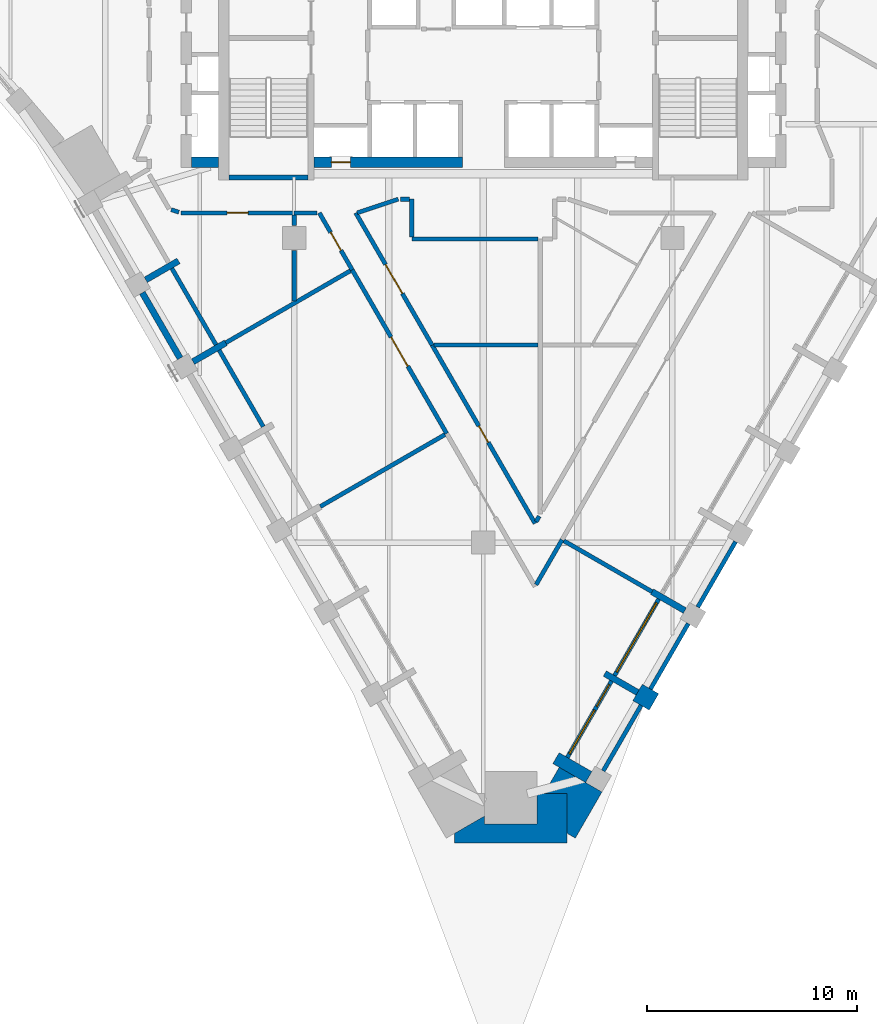
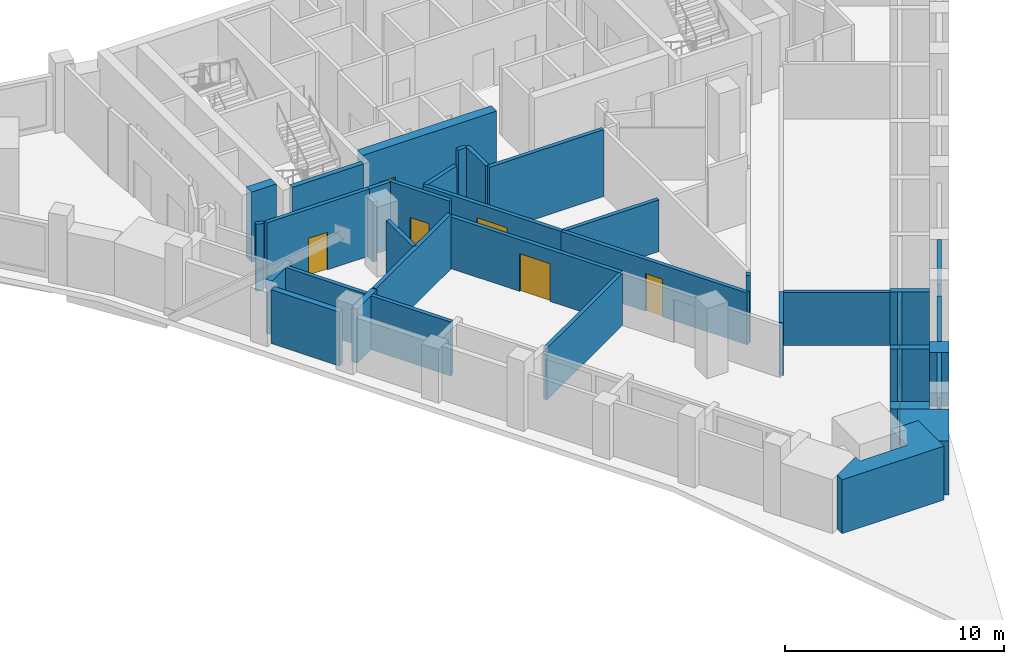
# One storey, part 3 of 9: 38 walls, 7 doors, 2 windows, 9 openings.
"""IFC4 building model written with IfcOpenShell, lengths in metres."""

from ifc_helpers import new_model, si_unit, direction, frame, frame_2d, origin, place, context, subcontext, project, spatial, polyline, rectangle, outline, extrude, material, layer, layer_set, type_object, element, fill, save


model = new_model("IFC4")

# Units and contexts
model_context = context("Model", 3, precision=1e-05, world=origin(), true_north=direction((0.0, 1.0)))
body_context = subcontext(model_context, "Body", "Model", "MODEL_VIEW")
ifc_project = project(units=[si_unit("LENGTHUNIT", "METRE"), si_unit("AREAUNIT", "SQUARE_METRE"), si_unit("VOLUMEUNIT", "CUBIC_METRE"), si_unit("PLANEANGLEUNIT", "RADIAN"), si_unit("MASSUNIT", "GRAM", prefix="KILO")], contexts=[model_context])

# Site, building, storey
site_placement = place(None, origin())
site = spatial("IfcSite", under=ifc_project, at=site_placement, CompositionType="ELEMENT")
building_placement = place(site_placement, origin())
building = spatial("IfcBuilding", under=site, at=building_placement, Name="Calabash Gate Tower", CompositionType="ELEMENT")
storey_placement = place(building_placement, frame((0.0, 0.0, 196.39990234375)))
storey = spatial("IfcBuildingStorey", under=building, at=storey_placement, Name="L46", CompositionType="ELEMENT", Elevation=196.39990234375)

# Walls
ifc_material_1 = material(Name="Terracotta brick masonry, exposed face", Category="masonry")
ifc_layer_1 = layer(ifc_material_1, 2.35009765625)
ifc_layer_set_1 = layer_set([ifc_layer_1], Name="Brick corner mass wall 2350")
wall_type_1 = type_object("IfcWallType", Name="Brick corner mass wall 2350", PredefinedType="SOLIDWALL", material=ifc_layer_set_1)
wall_1_placement = place(storey_placement, origin())
element("IfcWall", 1, at=wall_1_placement, inside=storey, type_object=wall_type_1, Name="Brick corner pier S13 2ba", PredefinedType="SOLIDWALL", context=body_context, shape_type="SweptSolid", body=[
    extrude(outline(polyline([(2.56005859375, -23.93994140625), (2.56005859375, -25.39208984375), (0.06005859375, -25.39208984375), (0.06005859375, -25.012939453125), (-1.372314453125, -25.83984375), (-1.372314453125, -26.2900390625), (3.99267578125, -26.2900390625), (3.99267578125, -23.93994140625), (2.56005859375, -23.93994140625)])), origin(), (0.0, 0.0, 1.0), 3.0),
])
wall_2_placement = place(storey_placement, origin())
element("IfcWall", 2, at=wall_2_placement, inside=storey, type_object=wall_type_1, Name="Brick corner pier S13 2c", PredefinedType="SOLIDWALL", context=body_context, shape_type="SweptSolid", body=[
    extrude(outline(polyline([(4.871337890625, -23.418701171875), (3.615478515625, -22.693603515625), (2.895751953125, -23.93994140625), (3.99267578125, -23.93994140625), (3.99267578125, -25.83984375), (4.382568359375, -26.06494140625), (5.650634765625, -23.86865234375), (4.871337890625, -23.418701171875), (4.871337890625, -23.418701171875)])), origin(), (0.0, 0.0, 1.0), 3.0),
])
ifc_material_2 = material(Name="Terracotta brick masonry, exposed face", Category="masonry")
ifc_layer_2 = layer(ifc_material_2, 0.89990234375)
ifc_layer_set_2 = layer_set([ifc_layer_2], Name="Brick end wall 900")
wall_type_2 = type_object("IfcWallType", Name="Brick end wall 900", PredefinedType="SOLIDWALL", material=ifc_layer_set_2)
wall_3_placement = place(storey_placement, frame((7.9609375, -18.967041015625, 0.0), z_axis=(0.0, 0.0, 1.0), x_axis=(-0.50001992892, -0.866013897511, 0.0)))
element("IfcWall", 3, at=wall_3_placement, inside=storey, type_object=wall_type_2, Name="Brick pier S13 SE2.1", PredefinedType="SOLIDWALL", context=body_context, shape_type="SweptSolid", body=[
    extrude(rectangle(XDim=0.89990234375, YDim=0.89990234375, at=frame_2d((0.449951171875, 0.0))), origin(), (0.0, 0.0, 1.0), 3.0),
])
ifc_material_3 = material(Name="Terracotta brick masonry, exposed face", Category="masonry")
ifc_layer_3 = layer(ifc_material_3, 0.300048828125)
ifc_layer_set_3 = layer_set([ifc_layer_3], Name="Brick infill panel wall 300")
wall_type_3 = type_object("IfcWallType", Name="Brick infill panel wall 300", PredefinedType="SOLIDWALL", material=ifc_layer_set_3)
wall_4_placement = place(storey_placement, frame((-16.231689453125, -0.102783203125, 0.0), z_axis=(0.0, 0.0, 1.0), x_axis=(0.499990559667, -0.866030854095, 0.0)))
element("IfcWall", 4, at=wall_4_placement, inside=storey, type_object=wall_type_3, Name="Brick panel S13 SW0.2", PredefinedType="SOLIDWALL", context=body_context, shape_type="SweptSolid", body=[
    extrude(rectangle(XDim=3.599609375, YDim=0.300048828125, at=frame_2d((1.7998046875, 0.0))), origin(), (0.0, 0.0, 1.0), 3.0),
])
ifc_material_4 = material(Name="Terracotta brick masonry, exposed face", Category="masonry")
ifc_layer_4 = layer(ifc_material_4, 0.300048828125)
ifc_layer_set_4 = layer_set([ifc_layer_4], Name="Brick loggia cheek wall 300")
wall_type_4 = type_object("IfcWallType", Name="Brick loggia cheek wall 300", PredefinedType="SOLIDWALL", material=ifc_layer_set_4)
for number, where, z_axis, x_axis, name in (
    (5, (-16.06689453125, 0.511962890625, 0.0), (0.0, 0.0, 1.0), (0.866047807691, 0.499961193289, 0.0), "Loggia cheek S13 SW0.1"),
    (6, (-13.81689453125, -3.38525390625, 0.0), (0.0, 0.0, 1.0), (0.865989075817, 0.500062916607, 0.0), "Loggia cheek S13 SW0.2"),
):
    element("IfcWall", number, at=place(storey_placement, frame(where, z_axis=z_axis, x_axis=x_axis)), inside=storey, type_object=wall_type_4, Name=name, PredefinedType="SOLIDWALL", context=body_context, shape_type="SweptSolid", body=[
        extrude(rectangle(XDim=1.800048828125, YDim=0.300048828125, at=frame_2d((0.89990234375, 0.0))), origin(), (0.0, 0.0, 1.0), 3.0),
    ])
wall_5_placement = place(storey_placement, frame((3.46240234375, -22.2587890625, 0.0), z_axis=(0.0, 0.0, 1.0), x_axis=(0.866047807691, -0.499961193289, 0.0)))
element("IfcWall", 7, at=wall_5_placement, inside=storey, type_object=wall_type_4, Name="Loggia cheek S13 SE2.0", PredefinedType="SOLIDWALL", context=body_context, shape_type="SweptSolid", body=[
    extrude(rectangle(XDim=1.800048828125, YDim=0.60009765625, at=frame_2d((0.89990234375, 0.0))), origin(), (0.0, 0.0, 1.0), 3.0),
])
for number, where, z_axis, x_axis, name in (
    (8, (7.34619140625, -19.131591796875, 0.0), (0.0, 0.0, 1.0), (-0.866047807691, 0.499961193289, 0.0), "Loggia cheek S13 SE2.1"),
    (9, (9.59619140625, -15.234619140625, 0.0), (0.0, 0.0, 1.0), (-0.866047807691, 0.499961193289, 0.0), "Loggia cheek S13 SE2.2"),
):
    element("IfcWall", number, at=place(storey_placement, frame(where, z_axis=z_axis, x_axis=x_axis)), inside=storey, type_object=wall_type_4, Name=name, PredefinedType="SOLIDWALL", context=body_context, shape_type="SweptSolid", body=[
        extrude(rectangle(XDim=1.800048828125, YDim=0.300048828125, at=frame_2d((0.89990234375, 0.0))), origin(), (0.0, 0.0, 1.0), 3.0),
    ])
ifc_material_5 = material(Name="Concrete C70/85", Category="concrete")
ifc_layer_5 = layer(ifc_material_5, 0.25)
ifc_layer_set_5 = layer_set([ifc_layer_5], Name="Core wall 250 Concrete C70/85")
wall_type_5 = type_object("IfcWallType", Name="Core wall 250 Concrete C70/85", PredefinedType="SHEAR", material=ifc_layer_set_5)
wall_6_placement = place(storey_placement, frame((-12.10009765625, 5.377685546875, 0.0), z_axis=(0.0, 0.0, 1.0), x_axis=(1.0, 0.0, 0.0)))
element("IfcWall", 10, at=wall_6_placement, inside=storey, type_object=wall_type_5, Name="Core wall Z4-SSW L46", PredefinedType="SHEAR", context=body_context, shape_type="SweptSolid", body=[
    extrude(rectangle(XDim=3.75, YDim=0.25, at=frame_2d((1.875, 0.0))), origin(), (0.0, 0.0, 1.0), 3.900146484375),
])

# Wall, opening, door
ifc_material_6 = material(Name="Concrete C70/85", Category="concrete")
ifc_layer_6 = layer(ifc_material_6, 0.5)
ifc_layer_set_6 = layer_set([ifc_layer_6], Name="Core wall 500 Concrete C70/85")
wall_type_6 = type_object("IfcWallType", Name="Core wall 500 Concrete C70/85", PredefinedType="SHEAR", material=ifc_layer_set_6)
wall_7_placement = place(storey_placement, frame((-8.050048828125, 6.1025390625, 0.0), z_axis=(0.0, 0.0, 1.0), x_axis=(1.0, 0.0, 0.0)))
wall_7 = element("IfcWall", 11, at=wall_7_placement, inside=storey, type_object=wall_type_6, Name="Core wall Z4-SA L46", PredefinedType="SHEAR", context=body_context, shape_type="SweptSolid", body=[
    extrude(rectangle(XDim=7.050048828125, YDim=0.5, at=frame_2d((3.52490234375, 0.0))), origin(), (0.0, 0.0, 1.0), 3.900146484375),
])
opening_1_placement = place(wall_7_placement, frame((0.824951171875, 0.0, 0.0)))
opening_1 = element("IfcOpeningElement", 12, at=opening_1_placement, cuts=wall_7, Name="Opening O5-017", PredefinedType="OPENING", context=body_context, shape_type="SweptSolid", body=[
    extrude(rectangle(XDim=0.89990234375, YDim=2.10009765625, at=frame_2d((0.449951171875, 1.050048828125))), frame((0.0, 0.260009765625, 0.0), z_axis=(0.0, -1.0, 0.0), x_axis=(1.0, 0.0, 0.0)), (0.0, 0.0, 1.0), 0.52001953125),
])
ifc_material_7 = material(Name="Steel fire door set with fire-resisting glazing", Category="steel")
door_type_1 = type_object("IfcDoorType", Name="Fire door D07 900x2100 FD90", OperationType="NOTDEFINED", PredefinedType="DOOR", material=ifc_material_7)
door_1_placement = place(opening_1_placement, origin())
door_1 = element("IfcDoor", 13, at=door_1_placement, inside=storey, type_object=door_type_1, Name="Electrical Riser W door", OperationType="SINGLE_SWING_LEFT", OverallHeight=2.10009765625, OverallWidth=0.89990234375, PredefinedType="DOOR", context=body_context, shape_type="SweptSolid", body=[
    extrude(rectangle(XDim=0.89990234375, YDim=2.10009765625, at=frame_2d((0.449951171875, 1.050048828125))), frame((0.0, 0.02490234375, 0.0), z_axis=(0.0, -1.0, 0.0), x_axis=(1.0, 0.0, 0.0)), (0.0, 0.0, 1.0), 0.050048828125),
])
fill(opening_1, door_1)

# Walls
wall_8_placement = place(storey_placement, frame((-12.60009765625, 6.1025390625, 0.0), z_axis=(0.0, 0.0, 1.0), x_axis=(-1.0, 0.0, 0.0)))
element("IfcWall", 14, at=wall_8_placement, inside=storey, type_object=wall_type_6, Name="Core wall Z4-SW L46", PredefinedType="SHEAR", context=body_context, shape_type="SweptSolid", body=[
    extrude(rectangle(XDim=1.2998046875, YDim=0.5, at=frame_2d((0.64990234375, 0.0))), origin(), (0.0, 0.0, 1.0), 3.900146484375),
])
ifc_material_8 = material(Name="Gypsum board on steel studs, mineral wool", Category="steel")
ifc_layer_7 = layer(ifc_material_8, 0.199951171875)
ifc_layer_set_7 = layer_set([ifc_layer_7], Name="Partition 200 gypsum board EI 60")
wall_type_7 = type_object("IfcWallType", Name="Partition 200 gypsum board EI 60", PredefinedType="PARTITIONING", material=ifc_layer_set_7)
wall_9_placement = place(storey_placement, frame((3.83642578125, -11.91162109375, 0.0), z_axis=(0.0, 0.0, 1.0), x_axis=(0.866197319414, -0.499702115105, 0.0)))
element("IfcWall", 15, at=wall_9_placement, inside=storey, type_object=wall_type_7, Name="Partition", PredefinedType="PARTITIONING", context=body_context, shape_type="SweptSolid", body=[
    extrude(rectangle(XDim=4.849609375, YDim=0.199951171875, at=frame_2d((2.4248046875, 0.0))), origin(), (0.0, 0.0, 1.0), 2.9501953125),
])
wall_10_placement = place(storey_placement, frame((2.514892578125, -14.0, 0.0), z_axis=(0.0, 0.0, 1.0), x_axis=(0.500654523814, 0.865647184357, 0.0)))
element("IfcWall", 16, at=wall_10_placement, inside=storey, type_object=wall_type_7, Name="Partition", PredefinedType="PARTITIONING", context=body_context, shape_type="SweptSolid", body=[
    extrude(rectangle(XDim=2.470947265625, YDim=0.199951171875, at=frame_2d((1.2353515625, 0.0))), origin(), (0.0, 0.0, 1.0), 2.9501953125),
])
wall_11_placement = place(storey_placement, frame((2.514892578125, -10.999267578125, 0.0), z_axis=(0.0, 0.0, 1.0), x_axis=(0.500426713919, 0.865778900179, 0.0)))
element("IfcWall", 17, at=wall_11_placement, inside=storey, type_object=wall_type_7, Name="Partition", PredefinedType="PARTITIONING", context=body_context, shape_type="SweptSolid", body=[
    extrude(rectangle(XDim=0.300048828125, YDim=0.199951171875, at=frame_2d((0.14990234375, 0.0))), origin(), (0.0, 0.0, 1.0), 3.72998046875),
])
wall_12_placement = place(storey_placement, frame((-7.7578125, -10.27978515625, 0.0), z_axis=(0.0, 0.0, 1.0), x_axis=(0.866142857868, 0.499796508355, 0.0)))
element("IfcWall", 18, at=wall_12_placement, inside=storey, type_object=wall_type_7, Name="Partition", PredefinedType="PARTITIONING", context=body_context, shape_type="SweptSolid", body=[
    extrude(rectangle(XDim=6.849365234375, YDim=0.199951171875, at=frame_2d((3.4248046875, 0.0))), origin(), (0.0, 0.0, 1.0), 2.88427734375),
])

# Wall, opening, door
wall_13_placement = place(storey_placement, frame((-6.240966796875, 0.98876953125, 0.0), z_axis=(0.0, 0.0, 1.0), x_axis=(0.5000018851, -0.866024315419, 0.0)))
wall_13 = element("IfcWall", 19, at=wall_13_placement, inside=storey, type_object=wall_type_7, Name="Partition", PredefinedType="PARTITIONING", context=body_context, shape_type="SweptSolid", body=[
    extrude(rectangle(XDim=9.0, YDim=0.199951171875, at=frame_2d((4.5, 0.0))), origin(), (0.0, 0.0, 1.0), 2.88427734375),
])
opening_2_placement = place(wall_13_placement, frame((3.699951171875, 0.0, 0.0)))
opening_2 = element("IfcOpeningElement", 20, at=opening_2_placement, cuts=wall_13, Name="Opening 46-48-001", PredefinedType="OPENING", context=body_context, shape_type="SweptSolid", body=[
    extrude(rectangle(XDim=1.60009765625, YDim=2.10009765625, at=frame_2d((0.800048828125, 1.050048828125))), frame((0.0, 0.10986328125, 0.0), z_axis=(0.0, -1.0, 0.0), x_axis=(1.0, 0.0, 0.0)), (0.0, 0.0, 1.0), 0.219970703125),
])
ifc_material_9 = material(Name="Steel fire door set with fire-resisting glazing", Category="steel")
door_type_2 = type_object("IfcDoorType", Name="LD1 Lounge double door 1600x2100", OperationType="NOTDEFINED", PredefinedType="DOOR", material=ifc_material_9)
door_2_placement = place(opening_2_placement, origin())
door_2 = element("IfcDoor", 21, at=door_2_placement, inside=storey, type_object=door_type_2, Name="Lounge double door", OperationType="DOUBLE_DOOR_SINGLE_SWING", OverallHeight=2.10009765625, OverallWidth=1.60009765625, PredefinedType="DOOR", context=body_context, shape_type="SweptSolid", body=[
    extrude(rectangle(XDim=1.60009765625, YDim=2.10009765625, at=frame_2d((0.800048828125, 1.050048828125))), frame((0.0, 0.02490234375, 0.0), z_axis=(0.0, -1.0, 0.0), x_axis=(1.0, 0.0, 0.0)), (0.0, 0.0, 1.0), 0.050048828125),
])
fill(opening_2, door_2)

wall_14_placement = place(storey_placement, frame((-2.43408203125, -2.596923828125, 0.0), z_axis=(0.0, 0.0, 1.0), x_axis=(0.499860458914, -0.86610595288, 0.0)))
wall_14 = element("IfcWall", 22, at=wall_14_placement, inside=storey, type_object=wall_type_7, Name="Partition", PredefinedType="PARTITIONING", context=body_context, shape_type="SweptSolid", body=[
    extrude(rectangle(XDim=9.801025390625, YDim=0.199951171875, at=frame_2d((4.900390625, 0.0))), origin(), (0.0, 0.0, 1.0), 2.88427734375),
])
opening_3_placement = place(wall_14_placement, frame((4.448974609375, 0.0, 0.0)))
opening_3 = element("IfcOpeningElement", 23, at=opening_3_placement, cuts=wall_14, Name="Opening 46-48-004", PredefinedType="OPENING", context=body_context, shape_type="SweptSolid", body=[
    extrude(rectangle(XDim=0.89990234375, YDim=2.10009765625, at=frame_2d((0.449951171875, 1.050048828125))), frame((0.0, 0.10986328125, 0.0), z_axis=(0.0, -1.0, 0.0), x_axis=(1.0, 0.0, 0.0)), (0.0, 0.0, 1.0), 0.219970703125),
])
ifc_material_10 = material(Name="Steel fire door set with fire-resisting glazing", Category="steel")
door_type_3 = type_object("IfcDoorType", Name="SD3 Store door 900x2100", OperationType="NOTDEFINED", PredefinedType="DOOR", material=ifc_material_10)
door_3_placement = place(opening_3_placement, origin())
door_3 = element("IfcDoor", 24, at=door_3_placement, inside=storey, type_object=door_type_3, Name="Store door", OperationType="SINGLE_SWING_LEFT", OverallHeight=2.10009765625, OverallWidth=0.89990234375, PredefinedType="DOOR", context=body_context, shape_type="SweptSolid", body=[
    extrude(rectangle(XDim=0.89990234375, YDim=2.10009765625, at=frame_2d((0.449951171875, 1.050048828125))), frame((0.0, 0.02490234375, 0.0), z_axis=(0.0, -1.0, 0.0), x_axis=(1.0, 0.0, 0.0)), (0.0, 0.0, 1.0), 0.050048828125),
])
fill(opening_3, door_3)

# Walls
wall_15_placement = place(storey_placement, frame((-2.333984375, -2.596923828125, 0.0), z_axis=(0.0, 0.0, 1.0), x_axis=(1.0, 0.0, 0.0)))
element("IfcWall", 25, at=wall_15_placement, inside=storey, type_object=wall_type_7, Name="Partition", PredefinedType="PARTITIONING", context=body_context, shape_type="SweptSolid", body=[
    extrude(rectangle(XDim=4.948974609375, YDim=0.199951171875, at=frame_2d((2.474609375, 0.0))), origin(), (0.0, 0.0, 1.0), 2.88427734375),
])
wall_16_placement = place(storey_placement, frame((-12.25830078125, -2.48486328125, 0.0), z_axis=(0.0, 0.0, 1.0), x_axis=(0.865815661702, 0.500363108105, 0.0)))
element("IfcWall", 26, at=wall_16_placement, inside=storey, type_object=wall_type_7, Name="Partition", PredefinedType="PARTITIONING", context=body_context, shape_type="SweptSolid", body=[
    extrude(rectangle(XDim=6.849609375, YDim=0.199951171875, at=frame_2d((3.4248046875, 0.0))), origin(), (0.0, 0.0, 1.0), 3.052001953125),
])

# Wall, opening, door
wall_17_placement = place(storey_placement, frame((-7.80419921875, 3.699462890625, 0.0), z_axis=(0.0, 0.0, 1.0), x_axis=(0.50003316619, -0.866006254429, 0.0)))
wall_17 = element("IfcWall", 27, at=wall_17_placement, inside=storey, type_object=wall_type_7, Name="Partition", PredefinedType="PARTITIONING", context=body_context, shape_type="SweptSolid", body=[
    extrude(rectangle(XDim=3.128662109375, YDim=0.199951171875, at=frame_2d((1.564453125, 0.0))), origin(), (0.0, 0.0, 1.0), 3.72998046875),
])
opening_4_placement = place(wall_17_placement, frame((1.0654296875, 0.0, 0.0)))
opening_4 = element("IfcOpeningElement", 28, at=opening_4_placement, cuts=wall_17, Name="Opening 46-48-009", PredefinedType="OPENING", context=body_context, shape_type="SweptSolid", body=[
    extrude(rectangle(XDim=1.0, YDim=2.10009765625, at=frame_2d((0.5, 1.050048828125))), frame((0.0, 0.10986328125, 0.0), z_axis=(0.0, -1.0, 0.0), x_axis=(1.0, 0.0, 0.0)), (0.0, 0.0, 1.0), 0.219970703125),
])
ifc_material_11 = material(Name="Steel fire door set with fire-resisting glazing", Category="steel")
door_type_4 = type_object("IfcDoorType", Name="LD2 Meeting room door 1000x2100", OperationType="NOTDEFINED", PredefinedType="DOOR", material=ifc_material_11)
door_4_placement = place(opening_4_placement, origin())
door_4 = element("IfcDoor", 29, at=door_4_placement, inside=storey, type_object=door_type_4, Name="Meeting room door", OperationType="SINGLE_SWING_RIGHT", OverallHeight=2.10009765625, OverallWidth=1.0, PredefinedType="DOOR", context=body_context, shape_type="SweptSolid", body=[
    extrude(rectangle(XDim=1.0, YDim=2.10009765625, at=frame_2d((0.5, 1.050048828125))), frame((0.0, 0.02490234375, 0.0), z_axis=(0.0, -1.0, 0.0), x_axis=(1.0, 0.0, 0.0)), (0.0, 0.0, 1.0), 0.050048828125),
])
fill(opening_4, door_4)

# Walls
wall_18_placement = place(storey_placement, frame((-8.999755859375, 1.89990234375, 0.0), z_axis=(0.0, 0.0, 1.0), x_axis=(0.000711888358, -0.999999746607, 0.0)))
element("IfcWall", 30, at=wall_18_placement, inside=storey, type_object=wall_type_7, Name="Partition", PredefinedType="PARTITIONING", context=body_context, shape_type="SweptSolid", body=[
    extrude(rectangle(XDim=2.400634765625, YDim=0.199951171875, at=frame_2d((1.2001953125, 0.0))), origin(), (0.0, 0.0, 1.0), 3.052001953125),
])
wall_19_placement = place(storey_placement, frame((-3.400146484375, 2.452392578125, 0.0), z_axis=(0.0, 0.0, 1.0), x_axis=(0.99999995964, -0.000284113959, 0.0)))
element("IfcWall", 31, at=wall_19_placement, inside=storey, type_object=wall_type_7, Name="Partition", PredefinedType="PARTITIONING", context=body_context, shape_type="SweptSolid", body=[
    extrude(rectangle(XDim=6.01513671875, YDim=0.199951171875, at=frame_2d((3.007568359375, 0.0))), origin(), (0.0, 0.0, 1.0), 3.72998046875),
])
wall_20_placement = place(storey_placement, frame((-3.402099609375, 4.3505859375, 0.0), z_axis=(0.0, 0.0, 1.0), x_axis=(0.001086217961, -0.999999410065, 0.0)))
element("IfcWall", 32, at=wall_20_placement, inside=storey, type_object=wall_type_7, Name="Partition", PredefinedType="PARTITIONING", context=body_context, shape_type="SweptSolid", body=[
    extrude(rectangle(XDim=1.798095703125, YDim=0.199951171875, at=frame_2d((0.89892578125, 0.0))), origin(), (0.0, 0.0, 1.0), 3.72998046875),
])
wall_21_placement = place(storey_placement, frame((-8.999755859375, 3.10009765625, 0.0), z_axis=(0.0, 0.0, 1.0), x_axis=(0.00293253871, 0.999995700099, 0.0)))
element("IfcWall", 33, at=wall_21_placement, inside=storey, type_object=wall_type_7, Name="Partition", PredefinedType="PARTITIONING", context=body_context, shape_type="SweptSolid", body=[
    extrude(rectangle(XDim=0.49951171875, YDim=0.199951171875, at=frame_2d((0.249755859375, 0.0))), origin(), (0.0, 0.0, 1.0), 3.331787109375),
])

# Wall, opening, door
wall_22_placement = place(storey_placement, frame((-14.400146484375, 3.699462890625, 0.0), z_axis=(0.0, 0.0, 1.0), x_axis=(0.999999963209, -0.000271259993, 0.0)))
wall_22 = element("IfcWall", 34, at=wall_22_placement, inside=storey, type_object=wall_type_7, Name="Partition", PredefinedType="PARTITIONING", context=body_context, shape_type="SweptSolid", body=[
    extrude(rectangle(XDim=5.400146484375, YDim=0.199951171875, at=frame_2d((2.7001953125, 0.0))), origin(), (0.0, 0.0, 1.0), 3.72998046875),
])
opening_5_placement = place(wall_22_placement, frame((2.201171875, 0.0, 0.0)))
opening_5 = element("IfcOpeningElement", 35, at=opening_5_placement, cuts=wall_22, Name="Opening 46-48-008", PredefinedType="OPENING", context=body_context, shape_type="SweptSolid", body=[
    extrude(rectangle(XDim=1.0, YDim=2.10009765625, at=frame_2d((0.5, 1.050048828125))), frame((0.0, 0.10986328125, 0.0), z_axis=(0.0, -1.0, 0.0), x_axis=(1.0, 0.0, 0.0)), (0.0, 0.0, 1.0), 0.219970703125),
])
door_5_placement = place(opening_5_placement, origin())
door_5 = element("IfcDoor", 36, at=door_5_placement, inside=storey, type_object=door_type_4, Name="Meeting room door", OperationType="SINGLE_SWING_LEFT", OverallHeight=2.10009765625, OverallWidth=1.0, PredefinedType="DOOR", context=body_context, shape_type="SweptSolid", body=[
    extrude(rectangle(XDim=1.0, YDim=2.10009765625, at=frame_2d((0.5, 1.050048828125))), frame((0.0, 0.02490234375, 0.0), z_axis=(0.0, -1.0, 0.0), x_axis=(1.0, 0.0, 0.0)), (0.0, 0.0, 1.0), 0.050048828125),
])
fill(opening_5, door_5)

# Wall
wall_23_placement = place(storey_placement, frame((-8.999755859375, 3.697998046875, 0.0), z_axis=(0.0, 0.0, 1.0), x_axis=(0.999999105954, 0.001337195149, 0.0)))
element("IfcWall", 37, at=wall_23_placement, inside=storey, type_object=wall_type_7, Name="Partition", PredefinedType="PARTITIONING", context=body_context, shape_type="SweptSolid", body=[
    extrude(rectangle(XDim=1.095458984375, YDim=0.199951171875, at=frame_2d((0.5478515625, 0.0))), origin(), (0.0, 0.0, 1.0), 3.72998046875),
])

# Wall, opening, door
wall_24_placement = place(storey_placement, frame((-6.071533203125, 3.69970703125, 0.0), z_axis=(0.0, 0.0, 1.0), x_axis=(0.50020597598, -0.865906450833, 0.0)))
wall_24 = element("IfcWall", 38, at=wall_24_placement, inside=storey, type_object=wall_type_7, Name="Partition", PredefinedType="PARTITIONING", context=body_context, shape_type="SweptSolid", body=[
    extrude(rectangle(XDim=7.26953125, YDim=0.199951171875, at=frame_2d((3.634765625, 0.0))), origin(), (0.0, 0.0, 1.0), 2.88427734375),
])
opening_6_placement = place(wall_24_placement, frame((2.836181640625, 0.0, 0.0)))
opening_6 = element("IfcOpeningElement", 39, at=opening_6_placement, cuts=wall_24, Name="Opening 46-48-003", PredefinedType="OPENING", context=body_context, shape_type="SweptSolid", body=[
    extrude(rectangle(XDim=1.60009765625, YDim=2.10009765625, at=frame_2d((0.800048828125, 1.050048828125))), frame((0.0, 0.10986328125, 0.0), z_axis=(0.0, -1.0, 0.0), x_axis=(1.0, 0.0, 0.0)), (0.0, 0.0, 1.0), 0.219970703125),
])
door_6_placement = place(opening_6_placement, origin())
door_6 = element("IfcDoor", 40, at=door_6_placement, inside=storey, type_object=door_type_2, Name="Lounge double door", OperationType="DOUBLE_DOOR_SINGLE_SWING", OverallHeight=2.10009765625, OverallWidth=1.60009765625, PredefinedType="DOOR", context=body_context, shape_type="SweptSolid", body=[
    extrude(rectangle(XDim=1.60009765625, YDim=2.10009765625, at=frame_2d((0.800048828125, 1.050048828125))), frame((0.0, 0.02490234375, 0.0), z_axis=(0.0, -1.0, 0.0), x_axis=(1.0, 0.0, 0.0)), (0.0, 0.0, 1.0), 0.050048828125),
])
fill(opening_6, door_6)

# Walls
wall_25_placement = place(storey_placement, frame((-14.859619140625, 3.852783203125, 0.0), z_axis=(0.0, 0.0, 1.0), x_axis=(0.948619741075, -0.316418373111, 0.0)))
element("IfcWall", 41, at=wall_25_placement, inside=storey, type_object=wall_type_7, Name="Partition", PredefinedType="PARTITIONING", context=body_context, shape_type="SweptSolid", body=[
    extrude(rectangle(XDim=0.38427734375, YDim=0.199951171875, at=frame_2d((0.192138671875, 0.0))), origin(), (0.0, 0.0, 1.0), 3.72998046875),
])
wall_26_placement = place(storey_placement, frame((-6.0, 3.69970703125, 0.0), z_axis=(0.0, 0.0, 1.0), x_axis=(0.948683298051, 0.316227766017, 0.0)))
element("IfcWall", 42, at=wall_26_placement, inside=storey, type_object=wall_type_7, Name="Partition", PredefinedType="PARTITIONING", context=body_context, shape_type="SweptSolid", body=[
    extrude(rectangle(XDim=2.063720703125, YDim=0.199951171875, at=frame_2d((1.03173828125, 0.0))), origin(), (0.0, 0.0, 1.0), 2.88427734375),
])
wall_27_placement = place(storey_placement, frame((-3.9423828125, 4.35205078125, 0.0), z_axis=(0.0, 0.0, 1.0), x_axis=(0.999996159087, -0.00277160798, 0.0)))
element("IfcWall", 43, at=wall_27_placement, inside=storey, type_object=wall_type_7, Name="Partition", PredefinedType="PARTITIONING", context=body_context, shape_type="SweptSolid", body=[
    extrude(rectangle(XDim=0.4404296875, YDim=0.199951171875, at=frame_2d((0.22021484375, 0.0))), origin(), (0.0, 0.0, 1.0), 3.72998046875),
])
ifc_material_12 = material(Name="Terracotta brick masonry, perforated", Category="masonry")
ifc_layer_8 = layer(ifc_material_12, 0.199951171875)
ifc_layer_set_8 = layer_set([ifc_layer_8], Name="Terracotta jaali screen A")
wall_type_8 = type_object("IfcWallType", Name="Terracotta jaali screen A", PredefinedType="SOLIDWALL", material=ifc_layer_set_8)
for number, where, z_axis, x_axis, name in (
    (44, (5.7109375, -22.864013671875, 0.0), (0.0, 0.0, 1.0), (0.500012057535, 0.866018442252, 0.0), "SCREEN A S13 SE2.1"),
    (45, (7.9609375, -18.967041015625, 0.0), (0.0, 0.0, 1.0), (0.500012057535, 0.866018442252, 0.0), "SCREEN A S13 SE2.2"),
    (46, (10.2109375, -15.06982421875, 0.0), (0.0, 0.0, 1.0), (0.500012057535, 0.866018442252, 0.0), "SCREEN A S13 SE2.3"),
):
    element("IfcWall", number, at=place(storey_placement, frame(where, z_axis=z_axis, x_axis=x_axis)), inside=storey, type_object=wall_type_8, Name=name, PredefinedType="SOLIDWALL", context=body_context, shape_type="SweptSolid", body=[
        extrude(rectangle(XDim=3.60009765625, YDim=0.199951171875, at=frame_2d((1.800048828125, 0.0))), origin(), (0.0, 0.0, 1.0), 3.0),
    ])
ifc_material_13 = material(Name="Aluminium framed window wall with insulated spandrel", Category="aluminium")
ifc_layer_9 = layer(ifc_material_13, 0.199951171875)
ifc_layer_set_9 = layer_set([ifc_layer_9], Name="Window wall 200")
wall_type_9 = type_object("IfcWallType", Name="Window wall 200", PredefinedType="ELEMENTEDWALL", material=ifc_layer_set_9)
wall_28_placement = place(storey_placement, frame((-14.82275390625, 1.05712890625, 0.0), z_axis=(0.0, 0.0, 1.0), x_axis=(0.500002543286, -0.866023935413, 0.0)))
element("IfcWall", 47, at=wall_28_placement, inside=storey, type_object=wall_type_9, Name="Window wall S13 SW0.2", PredefinedType="ELEMENTEDWALL", context=body_context, shape_type="SweptSolid", body=[
    extrude(rectangle(XDim=4.2001953125, YDim=0.199951171875, at=frame_2d((2.10009765625, 0.0))), origin(), (0.0, 0.0, 1.0), 3.0),
])
wall_29_placement = place(storey_placement, frame((-12.57275390625, -2.840087890625, 0.0), z_axis=(0.0, 0.0, 1.0), x_axis=(0.500027713859, -0.866009402589, 0.0)))
element("IfcWall", 48, at=wall_29_placement, inside=storey, type_object=wall_type_9, Name="Window wall S13 SW0.3", PredefinedType="ELEMENTEDWALL", context=body_context, shape_type="SweptSolid", body=[
    extrude(rectangle(XDim=4.199951171875, YDim=0.199951171875, at=frame_2d((2.10009765625, 0.0))), origin(), (0.0, 0.0, 1.0), 3.0),
])

# Wall, openings, door, window
wall_30_placement = place(storey_placement, frame((4.001953125, -22.223876953125, 0.0), z_axis=(0.0, 0.0, 1.0), x_axis=(0.500027713859, 0.866009402589, 0.0)))
wall_30 = element("IfcWall", 49, at=wall_30_placement, inside=storey, type_object=wall_type_9, Name="Window wall S13 SE2.1", PredefinedType="ELEMENTEDWALL", context=body_context, shape_type="SweptSolid", body=[
    extrude(rectangle(XDim=4.199951171875, YDim=0.199951171875, at=frame_2d((2.10009765625, 0.0))), origin(), (0.0, 0.0, 1.0), 3.0),
])
opening_7_placement = place(wall_30_placement, frame((0.199951171875, 0.0, 0.449951171875)))
opening_7 = element("IfcOpeningElement", 50, at=opening_7_placement, cuts=wall_30, Name="Opening OW1", PredefinedType="OPENING", context=body_context, shape_type="SweptSolid", body=[
    extrude(rectangle(XDim=2.39990234375, YDim=2.25, at=frame_2d((1.199951171875, 1.125))), frame((0.0, 0.10986328125, 0.0), z_axis=(0.0, -1.0, 0.0), x_axis=(1.0, 0.0, 0.0)), (0.0, 0.0, 1.0), 0.219970703125),
])
opening_8_placement = place(wall_30_placement, frame((2.800048828125, 0.0, 0.0)))
opening_8 = element("IfcOpeningElement", 51, at=opening_8_placement, cuts=wall_30, Name="Opening O5-023", PredefinedType="OPENING", context=body_context, shape_type="SweptSolid", body=[
    extrude(rectangle(XDim=1.199951171875, YDim=2.699951171875, at=frame_2d((0.60009765625, 1.35009765625))), frame((0.0, 0.10986328125, 0.0), z_axis=(0.0, -1.0, 0.0), x_axis=(1.0, 0.0, 0.0)), (0.0, 0.0, 1.0), 0.219970703125),
])
ifc_material_14 = material(Name="Anodised aluminium frame, bronze finish, impact-rated laminated clear glazing", Category="aluminium")
door_type_5 = type_object("IfcDoorType", Name="Loggia door DO1 1200x2700", OperationType="SLIDING_TO_LEFT", PredefinedType="DOOR", material=ifc_material_14)
door_7_placement = place(opening_8_placement, origin())
door_7 = element("IfcDoor", 52, at=door_7_placement, inside=storey, type_object=door_type_5, Name="Loggia door S13 SE2.1", OperationType="SINGLE_SWING_LEFT", OverallHeight=2.699951171875, OverallWidth=1.199951171875, PredefinedType="DOOR", context=body_context, shape_type="SweptSolid", body=[
    extrude(rectangle(XDim=1.199951171875, YDim=2.699951171875, at=frame_2d((0.60009765625, 1.35009765625))), frame((0.0, 0.02490234375, 0.0), z_axis=(0.0, -1.0, 0.0), x_axis=(1.0, 0.0, 0.0)), (0.0, 0.0, 1.0), 0.050048828125),
])
fill(opening_8, door_7)
ifc_material_15 = material(Name="Anodised aluminium frame, bronze finish, impact-rated laminated clear glazing", Category="aluminium")
window_type_1 = type_object("IfcWindowType", Name="Window OW1 2400x2250", PartitioningType="DOUBLE_PANEL_VERTICAL", PredefinedType="WINDOW", material=ifc_material_15)
window_1_placement = place(opening_7_placement, origin())
window_1 = element("IfcWindow", 53, at=window_1_placement, inside=storey, type_object=window_type_1, Name="Window OW1 S13 SE2.1", OverallHeight=2.25, OverallWidth=2.39990234375, PartitioningType="SINGLE_PANEL", PredefinedType="WINDOW", context=body_context, shape_type="SweptSolid", body=[
    extrude(rectangle(XDim=2.39990234375, YDim=2.25, at=frame_2d((1.199951171875, 1.125))), frame((0.0, 0.030029296875, 0.0), z_axis=(0.0, -1.0, 0.0), x_axis=(1.0, 0.0, 0.0)), (0.0, 0.0, 1.0), 0.06005859375),
])
fill(opening_7, window_1)

# Wall, opening, window
wall_31_placement = place(storey_placement, frame((6.251953125, -18.326904296875, 0.0), z_axis=(0.0, 0.0, 1.0), x_axis=(0.500002543286, 0.866023935413, 0.0)))
wall_31 = element("IfcWall", 54, at=wall_31_placement, inside=storey, type_object=wall_type_9, Name="Window wall S13 SE2.2", PredefinedType="ELEMENTEDWALL", context=body_context, shape_type="SweptSolid", body=[
    extrude(rectangle(XDim=4.2001953125, YDim=0.199951171875, at=frame_2d((2.10009765625, 0.0))), origin(), (0.0, 0.0, 1.0), 3.0),
])
opening_9_placement = place(wall_31_placement, frame((0.199951171875, 0.0, 0.449951171875)))
opening_9 = element("IfcOpeningElement", 55, at=opening_9_placement, cuts=wall_31, Name="Opening OW2", PredefinedType="OPENING", context=body_context, shape_type="SweptSolid", body=[
    extrude(rectangle(XDim=3.800048828125, YDim=2.25, at=frame_2d((1.89990234375, 1.125))), frame((0.0, 0.10986328125, 0.0), z_axis=(0.0, -1.0, 0.0), x_axis=(1.0, 0.0, 0.0)), (0.0, 0.0, 1.0), 0.219970703125),
])
ifc_material_16 = material(Name="Anodised aluminium frame, bronze finish, impact-rated laminated clear glazing", Category="aluminium")
window_type_2 = type_object("IfcWindowType", Name="Window OW2 3800x2250", PartitioningType="TRIPLE_PANEL_VERTICAL", PredefinedType="WINDOW", material=ifc_material_16)
window_2_placement = place(opening_9_placement, origin())
window_2 = element("IfcWindow", 56, at=window_2_placement, inside=storey, type_object=window_type_2, Name="Window OW2 S13 SE2.2", OverallHeight=2.25, OverallWidth=3.800048828125, PartitioningType="SINGLE_PANEL", PredefinedType="WINDOW", context=body_context, shape_type="SweptSolid", body=[
    extrude(rectangle(XDim=3.800048828125, YDim=2.25, at=frame_2d((1.89990234375, 1.125))), frame((0.0, 0.030029296875, 0.0), z_axis=(0.0, -1.0, 0.0), x_axis=(1.0, 0.0, 0.0)), (0.0, 0.0, 1.0), 0.06005859375),
])
fill(opening_9, window_2)

save(model, "model.ifc")
